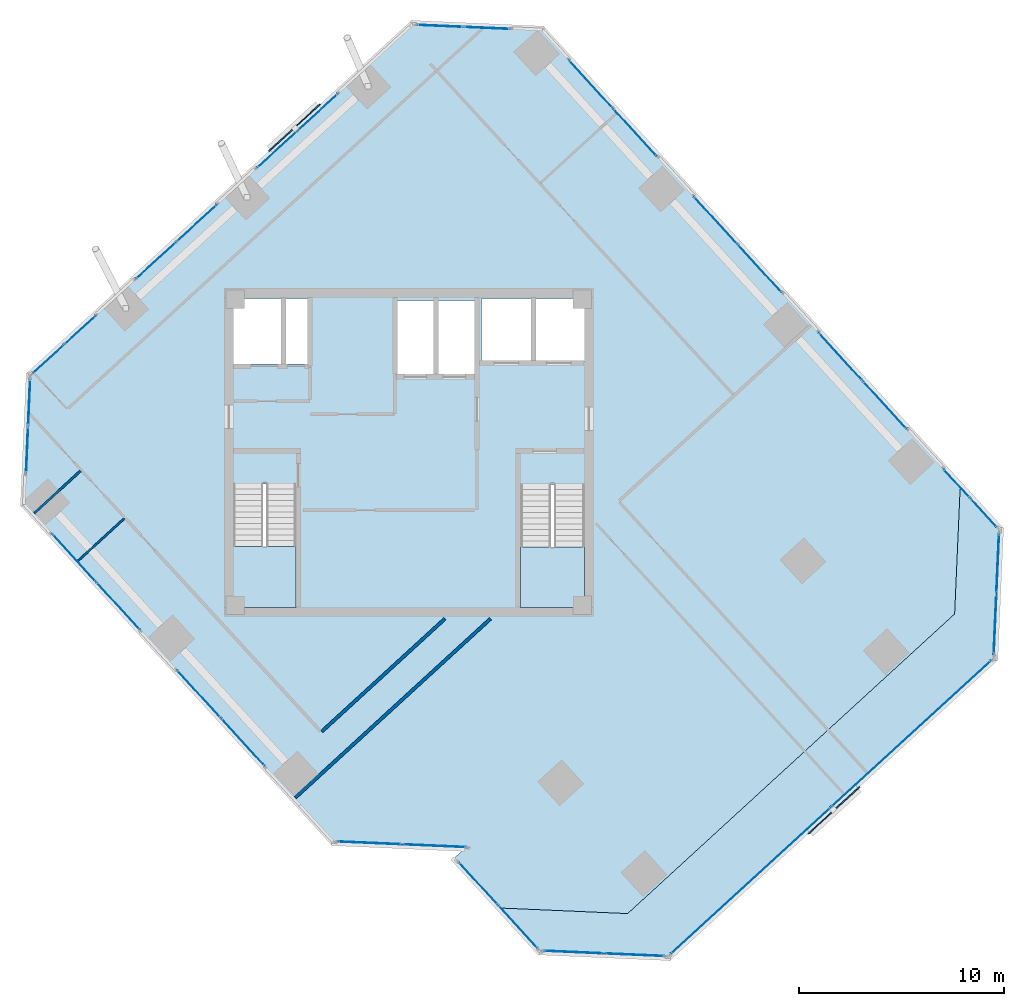
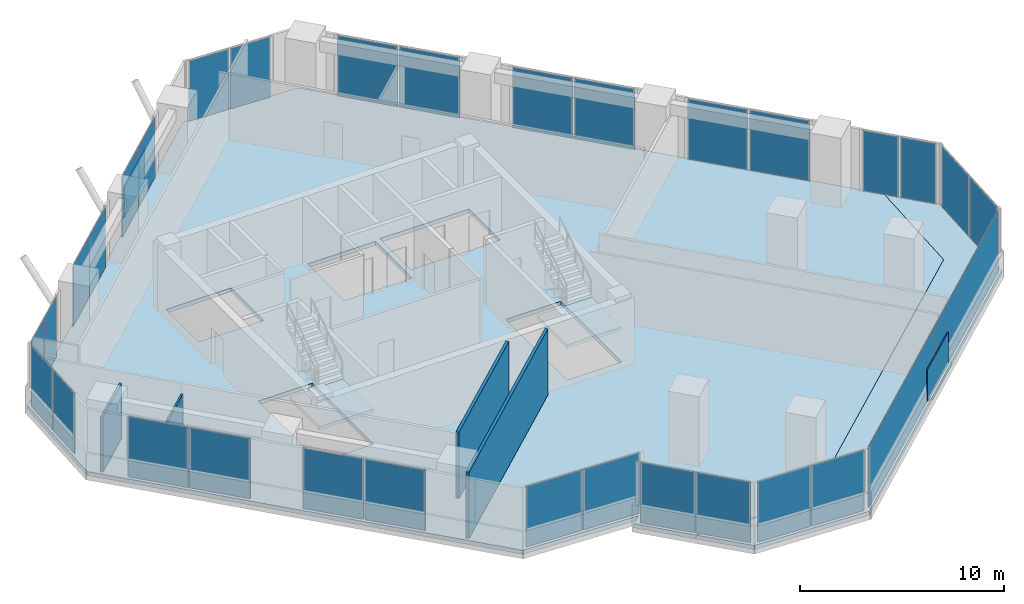
# One storey, part 11 of 16: 34 plates, 4 slabs, 4 walls, 18 elements without a shape of their own.
"""IFC4 building model written with IfcOpenShell, lengths in metres."""

from ifc_helpers import new_model, si_unit, direction, frame, frame_2d, origin, origin_2d, place, context, subcontext, project, spatial, polyline, rectangle, outline, extrude, source, transform, mapped, material, layer, layer_set, type_object, element, aggregate, save


model = new_model("IFC4")

# Units and contexts
model_context = context("Model", 3, precision=1e-05, world=origin(), true_north=direction((0.0, 1.0)))
body_context = subcontext(model_context, "Body", "Model", "MODEL_VIEW")
ifc_project = project(units=[si_unit("LENGTHUNIT", "METRE"), si_unit("AREAUNIT", "SQUARE_METRE"), si_unit("VOLUMEUNIT", "CUBIC_METRE"), si_unit("PLANEANGLEUNIT", "RADIAN"), si_unit("MASSUNIT", "GRAM", prefix="KILO")], contexts=[model_context])

# Site, building, storey
site_placement = place(None, origin())
site = spatial("IfcSite", under=ifc_project, at=site_placement, CompositionType="ELEMENT")
building_placement = place(site_placement, origin())
building = spatial("IfcBuilding", under=site, at=building_placement, Name="Torre Montelarca", CompositionType="ELEMENT")
storey_placement = place(building_placement, frame((0.0, 0.0, 262.60009765625)))
storey = spatial("IfcBuildingStorey", under=building, at=storey_placement, Name="L59", CompositionType="ELEMENT", Elevation=262.60009765625)

# Slabs
ifc_material_1 = material(Name="Concrete C40/50", Category="concrete")
ifc_layer_1 = layer(ifc_material_1, 0.239990234375, Name="Concrete C40/50", Category="concrete")
ifc_layer_set_1 = layer_set([ifc_layer_1], Name="Concrete C40/50")
slab_type_1 = type_object("IfcSlabType", Name="SL-FLR-240", PredefinedType="FLOOR", material=ifc_layer_set_1)
slab_1_placement = place(storey_placement, frame((0.0, 0.0, -0.239990234375)))
element("IfcSlab", 1, at=slab_1_placement, inside=storey, type_object=slab_type_1, Name="L59 Structural Floor Slab", PredefinedType="FLOOR", context=body_context, shape_type="SweptSolid", body=[
    extrude(outline(polyline([(14.297119140625, 12.92138671875), (20.65478515625, 12.643798828125), (20.138916015625, 12.1708984375), (22.30078125, 9.8115234375), (28.65869140625, 9.533935546875), (44.583740234375, 24.126708984375), (44.861328125, 30.484619140625), (24.526123046875, 52.676513671875), (18.168212890625, 52.9541015625), (-0.55859375, 35.794189453125), (-0.836181640625, 29.436279296875), (14.297119140625, 12.92138671875)]), holes=[polyline([(26.550048828125, 24.449951171875), (23.43994140625, 24.449951171875), (23.43994140625, 30.429931640625), (26.550048828125, 30.429931640625), (26.550048828125, 24.449951171875)]), polyline([(12.5, 24.449951171875), (9.449951171875, 24.449951171875), (9.449951171875, 30.4599609375), (12.5, 30.4599609375), (12.5, 24.449951171875)]), polyline([(21.25, 39.39990234375), (21.25, 35.800048828125), (17.39990234375, 35.800048828125), (17.39990234375, 39.39990234375), (21.25, 39.39990234375)]), polyline([(13.1201171875, 36.300048828125), (9.449951171875, 36.300048828125), (9.449951171875, 39.5), (13.1201171875, 39.5), (13.1201171875, 36.300048828125)]), polyline([(26.60009765625, 36.449951171875), (21.550048828125, 36.449951171875), (21.550048828125, 39.5), (26.60009765625, 39.5), (26.60009765625, 36.449951171875)])]), origin(), (0.0, 0.0, 1.0), 0.239990234375),
])
slab_2_placement = place(storey_placement, frame((0.0, 0.0, -0.239990234375)))
element("IfcSlab", 2, at=slab_2_placement, inside=storey, type_object=slab_type_1, Name="L59 Sliding Tray Winter Garden Floor Slab E1", PredefinedType="FLOOR", context=body_context, shape_type="SweptSolid", body=[
    extrude(outline(polyline([(44.861328125, 30.484619140625), (44.583740234375, 24.126708984375), (28.65869140625, 9.533935546875), (22.30078125, 9.8115234375), (24.327392578125, 7.599609375), (30.685302734375, 7.322021484375), (46.610595703125, 21.914794921875), (46.88818359375, 28.272705078125), (44.861328125, 30.484619140625)])), origin(), (0.0, 0.0, 1.0), 0.239990234375),
])

# Stair, slab
stair_type_1 = type_object("IfcStairType", Name="ST-CORE-ST1", PredefinedType="HALF_TURN_STAIR", material=ifc_material_1)
stair_1_placement = place(storey_placement, origin())
stair_1 = element("IfcStair", 3, at=stair_1_placement, inside=storey, type_object=stair_type_1, Name="L59 Protected Exit Stair ST1", PredefinedType="HALF_TURN_STAIR")
ifc_layer_2 = layer(ifc_material_1, 0.199951171875, Name="Concrete C40/50", Category="concrete")
ifc_layer_set_2 = layer_set([ifc_layer_2], Name="Concrete C40/50")
slab_type_2 = type_object("IfcSlabType", Name="SL-ST-LAND-ST1", PredefinedType="LANDING", material=ifc_layer_set_2)
slab_3_placement = place(storey_placement, frame((0.0, 0.0, 1.89990234375)))
slab_3 = element("IfcSlab", 4, at=slab_3_placement, type_object=slab_type_2, Name="ST1 landing 1", PredefinedType="LANDING", context=body_context, shape_type="SweptSolid", body=[
    extrude(outline(polyline([(9.449951171875, 27.419921875), (9.449951171875, 24.449951171875), (12.5, 24.449951171875), (12.5, 27.419921875), (9.449951171875, 27.419921875)])), origin(), (0.0, 0.0, 1.0), 0.199951171875),
])
aggregate(stair_1, [slab_3])

stair_type_2 = type_object("IfcStairType", Name="ST-CORE-ST2", PredefinedType="HALF_TURN_STAIR", material=ifc_material_1)
stair_2_placement = place(storey_placement, origin())
stair_2 = element("IfcStair", 5, at=stair_2_placement, inside=storey, type_object=stair_type_2, Name="L59 Protected Exit Stair ST2", PredefinedType="HALF_TURN_STAIR")
ifc_layer_3 = layer(ifc_material_1, 0.199951171875, Name="Concrete C40/50", Category="concrete")
ifc_layer_set_3 = layer_set([ifc_layer_3], Name="Concrete C40/50")
slab_type_3 = type_object("IfcSlabType", Name="SL-ST-LAND-ST2", PredefinedType="LANDING", material=ifc_layer_set_3)
slab_4_placement = place(storey_placement, frame((0.0, 0.0, 1.89990234375)))
slab_4 = element("IfcSlab", 6, at=slab_4_placement, type_object=slab_type_3, Name="ST2 landing 1", PredefinedType="LANDING", context=body_context, shape_type="SweptSolid", body=[
    extrude(outline(polyline([(23.43994140625, 27.389892578125), (23.43994140625, 24.449951171875), (26.550048828125, 24.449951171875), (26.550048828125, 27.389892578125), (23.43994140625, 27.389892578125)])), origin(), (0.0, 0.0, 1.0), 0.199951171875),
])
aggregate(stair_2, [slab_4])

# Plates
ifc_material_2 = material(Name="Architectural perforated terracotta ceramic", Category="masonry")
ifc_layer_4 = layer(ifc_material_2, 0.074951171875, Name="Architectural perforated terracotta ceramic", Category="masonry")
ifc_layer_set_4 = layer_set([ifc_layer_4], Name="Architectural perforated terracotta ceramic")
plate_type_1 = type_object("IfcPlateType", Name="SCR-CER-75", PredefinedType="USERDEFINED", material=ifc_layer_set_4)
shared_shape_1 = source(origin(), body_context, "Body", "SweptSolid", [
    extrude(rectangle(XDim=3.39990234375, YDim=0.06005859375, at=origin_2d()), origin(), (0.0, 0.0, 1.0), 1.89990234375),
])
for number, where, z_axis, x_axis, name in (
    (7, (38.701904296875, 14.5595703125, 0.5), (0.0, 0.0, 1.0), (0.737276157682, 0.675591494406, 0.0), "L59 Perforated Ceramic Brise-Soleil Screen E6-1"),
    (8, (12.43701171875, 47.81103515625, 0.5), (0.0, 0.0, 1.0), (-0.737276157682, -0.675591494406, 0.0), "L59 Perforated Ceramic Brise-Soleil Screen E10-1"),
):
    element("IfcPlate", number, at=place(storey_placement, frame(where, z_axis=z_axis, x_axis=x_axis)), inside=storey, type_object=plate_type_1, Name=name, ObjectType="SOLAR SCREEN", PredefinedType="USERDEFINED", context=body_context, shape_type="MappedRepresentation", body=[
        mapped(shared_shape_1, transform((0.0, 0.0, 0.0), scale=1.0)),
    ])

# Curtain wall, plates
ifc_material_3 = material(Name="Insulated low-E laminated glass", Category="glass")
curtain_wall_type = type_object("IfcCurtainWallType", Name="CW-SYS-Z3", PredefinedType="USERDEFINED", material=ifc_material_3)
curtain_wall_1_placement = place(storey_placement, origin())
curtain_wall_1 = element("IfcCurtainWall", 9, at=curtain_wall_1_placement, inside=storey, type_object=curtain_wall_type, Name="L59 Curtain Wall Run CW-T3-L59-E02-B1", ObjectType="UNITISED GLAZING", PredefinedType="USERDEFINED")
ifc_layer_5 = layer(ifc_material_3, 0.031982421875, Name="Insulated low-E laminated glass", Category="glass")
ifc_layer_set_5 = layer_set([ifc_layer_5], Name="Insulated low-E laminated glass")
plate_type_2 = type_object("IfcPlateType", Name="CWP-GLZ-32", PredefinedType="CURTAIN_PANEL", material=ifc_layer_set_5)
shared_shape_2 = source(origin(), body_context, "Body", "SweptSolid", [
    extrude(rectangle(XDim=3.08740234375, YDim=0.031982421875, at=origin_2d()), origin(), (0.0, 0.0, 1.0), 3.610107421875),
])
plate_1_placement = place(storey_placement, frame((16.085693359375, 12.973388671875, 0.0546875), z_axis=(0.0, 0.0, 1.0), x_axis=(0.999048625573, -0.043610133473, 0.0)))
plate_1 = element("IfcPlate", 10, at=plate_1_placement, type_object=plate_type_2, Name="CW panel 1.1", PredefinedType="CURTAIN_PANEL", context=body_context, shape_type="MappedRepresentation", body=[
    mapped(shared_shape_2, transform((0.0, 0.0, 0.0), scale=1.0)),
])
plate_2_placement = place(storey_placement, frame((19.2451171875, 12.83544921875, 0.0546875), z_axis=(0.0, 0.0, 1.0), x_axis=(0.999048625573, -0.043610133473, 0.0)))
plate_2 = element("IfcPlate", 11, at=plate_2_placement, type_object=plate_type_2, Name="CW panel 2.1", PredefinedType="CURTAIN_PANEL", context=body_context, shape_type="MappedRepresentation", body=[
    mapped(shared_shape_2, transform((0.0, 0.0, 0.0), scale=1.0)),
])
aggregate(curtain_wall_1, [plate_1, plate_2])

curtain_wall_2_placement = place(storey_placement, origin())
curtain_wall_2 = element("IfcCurtainWall", 12, at=curtain_wall_2_placement, inside=storey, type_object=curtain_wall_type, Name="L59 Curtain Wall Run CW-T3-L59-E05-B1", ObjectType="UNITISED GLAZING", PredefinedType="USERDEFINED")
shared_shape_3 = source(origin(), body_context, "Body", "SweptSolid", [
    extrude(rectangle(XDim=2.903564453125, YDim=0.031982421875, at=origin_2d()), origin(), (0.0, 0.0, 1.0), 3.610107421875),
])
plate_3_placement = place(storey_placement, frame((26.024169921875, 7.65576171875, 0.0546875), z_axis=(0.0, 0.0, 1.0), x_axis=(0.999048385364, -0.043615635968, 0.0)))
plate_3 = element("IfcPlate", 13, at=plate_3_placement, type_object=plate_type_2, Name="CW panel 1.1", PredefinedType="CURTAIN_PANEL", context=body_context, shape_type="MappedRepresentation", body=[
    mapped(shared_shape_3, transform((0.0, 0.0, 0.0), scale=1.0)),
])
plate_4_placement = place(storey_placement, frame((29.0, 7.52587890625, 0.0546875), z_axis=(0.0, 0.0, 1.0), x_axis=(0.999048385364, -0.043615635968, 0.0)))
plate_4 = element("IfcPlate", 14, at=plate_4_placement, type_object=plate_type_2, Name="CW panel 2.1", PredefinedType="CURTAIN_PANEL", context=body_context, shape_type="MappedRepresentation", body=[
    mapped(shared_shape_3, transform((0.0, 0.0, 0.0), scale=1.0)),
])
aggregate(curtain_wall_2, [plate_3, plate_4])

curtain_wall_3_placement = place(storey_placement, origin())
curtain_wall_3 = element("IfcCurtainWall", 15, at=curtain_wall_3_placement, inside=storey, type_object=curtain_wall_type, Name="L59 Curtain Wall Run CW-T3-L59-E07-B1", ObjectType="UNITISED GLAZING", PredefinedType="USERDEFINED")
plate_5_placement = place(storey_placement, frame((46.554443359375, 23.611572265625, 0.0546875), z_axis=(0.0, 0.0, 1.0), x_axis=(0.043615635968, 0.999048385364, 0.0)))
plate_5 = element("IfcPlate", 16, at=plate_5_placement, type_object=plate_type_2, Name="CW panel 1.1", PredefinedType="CURTAIN_PANEL", context=body_context, shape_type="MappedRepresentation", body=[
    mapped(shared_shape_3, transform((0.0, 0.0, 0.0), scale=1.0)),
])
plate_6_placement = place(storey_placement, frame((46.684326171875, 26.58740234375, 0.0546875), z_axis=(0.0, 0.0, 1.0), x_axis=(0.043615635968, 0.999048385364, 0.0)))
plate_6 = element("IfcPlate", 17, at=plate_6_placement, type_object=plate_type_2, Name="CW panel 2.1", PredefinedType="CURTAIN_PANEL", context=body_context, shape_type="MappedRepresentation", body=[
    mapped(shared_shape_3, transform((0.0, 0.0, 0.0), scale=1.0)),
])
aggregate(curtain_wall_3, [plate_5, plate_6])

curtain_wall_4_placement = place(storey_placement, origin())
curtain_wall_4 = element("IfcCurtainWall", 18, at=curtain_wall_4_placement, inside=storey, type_object=curtain_wall_type, Name="L59 Curtain Wall Run CW-T3-L59-E01-B1", ObjectType="UNITISED GLAZING", PredefinedType="USERDEFINED")
shared_shape_4 = source(origin(), body_context, "Body", "SweptSolid", [
    extrude(rectangle(XDim=3.107421875, YDim=0.031982421875, at=origin_2d()), origin(), (0.0, 0.0, 1.0), 3.610107421875),
])
plate_7_placement = place(storey_placement, frame((1.69775390625, 26.863525390625, 0.0546875), z_axis=(0.0, 0.0, 1.0), x_axis=(0.675587502621, -0.737279815472, 0.0)))
plate_7 = element("IfcPlate", 19, at=plate_7_placement, type_object=plate_type_2, Name="CW panel 1.1", PredefinedType="CURTAIN_PANEL", context=body_context, shape_type="MappedRepresentation", body=[
    mapped(shared_shape_4, transform((0.0, 0.0, 0.0), scale=1.0)),
])
plate_8_placement = place(storey_placement, frame((3.84765625, 24.51708984375, 0.0546875), z_axis=(0.0, 0.0, 1.0), x_axis=(0.675587502621, -0.737279815472, 0.0)))
plate_8 = element("IfcPlate", 20, at=plate_8_placement, type_object=plate_type_2, Name="CW panel 2.1", PredefinedType="CURTAIN_PANEL", context=body_context, shape_type="MappedRepresentation", body=[
    mapped(shared_shape_4, transform((0.0, 0.0, 0.0), scale=1.0)),
])
aggregate(curtain_wall_4, [plate_7, plate_8])

curtain_wall_5_placement = place(storey_placement, origin())
curtain_wall_5 = element("IfcCurtainWall", 21, at=curtain_wall_5_placement, inside=storey, type_object=curtain_wall_type, Name="L59 Curtain Wall Run CW-T3-L59-E01-B2", ObjectType="UNITISED GLAZING", PredefinedType="USERDEFINED")
plate_9_placement = place(storey_placement, frame((7.778076171875, 20.22802734375, 0.0546875), z_axis=(0.0, 0.0, 1.0), x_axis=(0.675587502621, -0.737279815472, 0.0)))
plate_9 = element("IfcPlate", 22, at=plate_9_placement, type_object=plate_type_2, Name="CW panel 1.1", PredefinedType="CURTAIN_PANEL", context=body_context, shape_type="MappedRepresentation", body=[
    mapped(shared_shape_4, transform((0.0, 0.0, 0.0), scale=1.0)),
])
plate_10_placement = place(storey_placement, frame((9.927978515625, 17.881591796875, 0.0546875), z_axis=(0.0, 0.0, 1.0), x_axis=(0.675587502621, -0.737279815472, 0.0)))
plate_10 = element("IfcPlate", 23, at=plate_10_placement, type_object=plate_type_2, Name="CW panel 2.1", PredefinedType="CURTAIN_PANEL", context=body_context, shape_type="MappedRepresentation", body=[
    mapped(shared_shape_4, transform((0.0, 0.0, 0.0), scale=1.0)),
])
aggregate(curtain_wall_5, [plate_9, plate_10])

curtain_wall_6_placement = place(storey_placement, origin())
curtain_wall_6 = element("IfcCurtainWall", 24, at=curtain_wall_6_placement, inside=storey, type_object=curtain_wall_type, Name="L59 Curtain Wall Run CW-T3-L59-E08-B2", ObjectType="UNITISED GLAZING", PredefinedType="USERDEFINED")
plate_11_placement = place(storey_placement, frame((41.178955078125, 34.310791015625, 0.0546875), z_axis=(0.0, 0.0, 1.0), x_axis=(-0.675587502621, 0.737279815472, 0.0)))
plate_11 = element("IfcPlate", 25, at=plate_11_placement, type_object=plate_type_2, Name="CW panel 1.1", PredefinedType="CURTAIN_PANEL", context=body_context, shape_type="MappedRepresentation", body=[
    mapped(shared_shape_4, transform((0.0, 0.0, 0.0), scale=1.0)),
])
plate_12_placement = place(storey_placement, frame((39.02880859375, 36.6572265625, 0.0546875), z_axis=(0.0, 0.0, 1.0), x_axis=(-0.675587502621, 0.737279815472, 0.0)))
plate_12 = element("IfcPlate", 26, at=plate_12_placement, type_object=plate_type_2, Name="CW panel 2.1", PredefinedType="CURTAIN_PANEL", context=body_context, shape_type="MappedRepresentation", body=[
    mapped(shared_shape_4, transform((0.0, 0.0, 0.0), scale=1.0)),
])
aggregate(curtain_wall_6, [plate_11, plate_12])

curtain_wall_7_placement = place(storey_placement, origin())
curtain_wall_7 = element("IfcCurtainWall", 27, at=curtain_wall_7_placement, inside=storey, type_object=curtain_wall_type, Name="L59 Curtain Wall Run CW-T3-L59-E08-B3", ObjectType="UNITISED GLAZING", PredefinedType="USERDEFINED")
plate_13_placement = place(storey_placement, frame((35.0986328125, 40.9462890625, 0.0546875), z_axis=(0.0, 0.0, 1.0), x_axis=(-0.675587502621, 0.737279815472, 0.0)))
plate_13 = element("IfcPlate", 28, at=plate_13_placement, type_object=plate_type_2, Name="CW panel 1.1", PredefinedType="CURTAIN_PANEL", context=body_context, shape_type="MappedRepresentation", body=[
    mapped(shared_shape_4, transform((0.0, 0.0, 0.0), scale=1.0)),
])
plate_14_placement = place(storey_placement, frame((32.948486328125, 43.292724609375, 0.0546875), z_axis=(0.0, 0.0, 1.0), x_axis=(-0.675587502621, 0.737279815472, 0.0)))
plate_14 = element("IfcPlate", 29, at=plate_14_placement, type_object=plate_type_2, Name="CW panel 2.1", PredefinedType="CURTAIN_PANEL", context=body_context, shape_type="MappedRepresentation", body=[
    mapped(shared_shape_4, transform((0.0, 0.0, 0.0), scale=1.0)),
])
aggregate(curtain_wall_7, [plate_13, plate_14])

curtain_wall_8_placement = place(storey_placement, origin())
curtain_wall_8 = element("IfcCurtainWall", 30, at=curtain_wall_8_placement, inside=storey, type_object=curtain_wall_type, Name="L59 Curtain Wall Run CW-T3-L59-E08-B4", ObjectType="UNITISED GLAZING", PredefinedType="USERDEFINED")
plate_15_placement = place(storey_placement, frame((29.018310546875, 47.581787109375, 0.0546875), z_axis=(0.0, 0.0, 1.0), x_axis=(-0.675587502621, 0.737279815472, 0.0)))
plate_15 = element("IfcPlate", 31, at=plate_15_placement, type_object=plate_type_2, Name="CW panel 1.1", PredefinedType="CURTAIN_PANEL", context=body_context, shape_type="MappedRepresentation", body=[
    mapped(shared_shape_4, transform((0.0, 0.0, 0.0), scale=1.0)),
])
plate_16_placement = place(storey_placement, frame((26.8681640625, 49.92822265625, 0.0546875), z_axis=(0.0, 0.0, 1.0), x_axis=(-0.675587502621, 0.737279815472, 0.0)))
plate_16 = element("IfcPlate", 32, at=plate_16_placement, type_object=plate_type_2, Name="CW panel 2.1", PredefinedType="CURTAIN_PANEL", context=body_context, shape_type="MappedRepresentation", body=[
    mapped(shared_shape_4, transform((0.0, 0.0, 0.0), scale=1.0)),
])
aggregate(curtain_wall_8, [plate_15, plate_16])

curtain_wall_9_placement = place(storey_placement, origin())
curtain_wall_9 = element("IfcCurtainWall", 33, at=curtain_wall_9_placement, inside=storey, type_object=curtain_wall_type, Name="L59 Curtain Wall Run CW-T3-L59-E06-B1", ObjectType="UNITISED GLAZING", PredefinedType="USERDEFINED")
shared_shape_5 = source(origin(), body_context, "Body", "SweptSolid", [
    extrude(rectangle(XDim=10.521728515625, YDim=0.031982421875, at=origin_2d()), origin(), (0.0, 0.0, 1.0), 3.610107421875),
])
plate_17_placement = place(storey_placement, frame((34.65380859375, 11.134765625, 0.0546875), z_axis=(0.0, 0.0, 1.0), x_axis=(0.73728001228, 0.675587287841, 0.0)))
plate_17 = element("IfcPlate", 34, at=plate_17_placement, type_object=plate_type_2, Name="CW panel 1.1", PredefinedType="CURTAIN_PANEL", context=body_context, shape_type="MappedRepresentation", body=[
    mapped(shared_shape_5, transform((0.0, 0.0, 0.0), scale=1.0)),
])
plate_18_placement = place(storey_placement, frame((42.466552734375, 18.293701171875, 0.0546875), z_axis=(0.0, 0.0, 1.0), x_axis=(0.73728001228, 0.675587287841, 0.0)))
plate_18 = element("IfcPlate", 35, at=plate_18_placement, type_object=plate_type_2, Name="CW panel 2.1", PredefinedType="CURTAIN_PANEL", context=body_context, shape_type="MappedRepresentation", body=[
    mapped(shared_shape_5, transform((0.0, 0.0, 0.0), scale=1.0)),
])
aggregate(curtain_wall_9, [plate_17, plate_18])

curtain_wall_10_placement = place(storey_placement, origin())
curtain_wall_10 = element("IfcCurtainWall", 36, at=curtain_wall_10_placement, inside=storey, type_object=curtain_wall_type, Name="L59 Curtain Wall Run CW-T3-L59-E08-B1", ObjectType="UNITISED GLAZING", PredefinedType="USERDEFINED")
shared_shape_6 = source(origin(), body_context, "Body", "SweptSolid", [
    extrude(rectangle(XDim=1.864501953125, YDim=0.031982421875, at=origin_2d()), origin(), (0.0, 0.0, 1.0), 3.610107421875),
])
plate_19_placement = place(storey_placement, frame((45.999755859375, 29.0498046875, 0.0546875), z_axis=(0.0, 0.0, 1.0), x_axis=(-0.675580323, 0.73728639427, 0.0)))
plate_19 = element("IfcPlate", 37, at=plate_19_placement, type_object=plate_type_2, Name="CW panel 1.1", PredefinedType="CURTAIN_PANEL", context=body_context, shape_type="MappedRepresentation", body=[
    mapped(shared_shape_6, transform((0.0, 0.0, 0.0), scale=1.0)),
])
plate_20_placement = place(storey_placement, frame((44.689208984375, 30.479736328125, 0.0546875), z_axis=(0.0, 0.0, 1.0), x_axis=(-0.675580323, 0.73728639427, 0.0)))
plate_20 = element("IfcPlate", 38, at=plate_20_placement, type_object=plate_type_2, Name="CW panel 2.1", PredefinedType="CURTAIN_PANEL", context=body_context, shape_type="MappedRepresentation", body=[
    mapped(shared_shape_6, transform((0.0, 0.0, 0.0), scale=1.0)),
])
aggregate(curtain_wall_10, [plate_19, plate_20])

curtain_wall_11_placement = place(storey_placement, origin())
curtain_wall_11 = element("IfcCurtainWall", 39, at=curtain_wall_11_placement, inside=storey, type_object=curtain_wall_type, Name="L59 Curtain Wall Run CW-T3-L59-E10-B1", ObjectType="UNITISED GLAZING", PredefinedType="USERDEFINED")
shared_shape_7 = source(origin(), body_context, "Body", "SweptSolid", [
    extrude(rectangle(XDim=2.607421875, YDim=0.031982421875, at=origin_2d()), origin(), (0.0, 0.0, 1.0), 3.610107421875),
])
plate_21_placement = place(storey_placement, frame((13.56787109375, 48.5625, 0.0546875), z_axis=(0.0, 0.0, 1.0), x_axis=(-0.737279266272, -0.675588101971, 0.0)))
plate_21 = element("IfcPlate", 40, at=plate_21_placement, type_object=plate_type_2, Name="CW panel 1.1", PredefinedType="CURTAIN_PANEL", context=body_context, shape_type="MappedRepresentation", body=[
    mapped(shared_shape_7, transform((0.0, 0.0, 0.0), scale=1.0)),
])
plate_22_placement = place(storey_placement, frame((11.590087890625, 46.750244140625, 0.0546875), z_axis=(0.0, 0.0, 1.0), x_axis=(-0.737279266272, -0.675588101971, 0.0)))
plate_22 = element("IfcPlate", 41, at=plate_22_placement, type_object=plate_type_2, Name="CW panel 2.1", PredefinedType="CURTAIN_PANEL", context=body_context, shape_type="MappedRepresentation", body=[
    mapped(shared_shape_7, transform((0.0, 0.0, 0.0), scale=1.0)),
])
aggregate(curtain_wall_11, [plate_21, plate_22])

curtain_wall_12_placement = place(storey_placement, origin())
curtain_wall_12 = element("IfcCurtainWall", 42, at=curtain_wall_12_placement, inside=storey, type_object=curtain_wall_type, Name="L59 Curtain Wall Run CW-T3-L59-E10-B2", ObjectType="UNITISED GLAZING", PredefinedType="USERDEFINED")
plate_23_placement = place(storey_placement, frame((7.669677734375, 43.15771484375, 0.0546875), z_axis=(0.0, 0.0, 1.0), x_axis=(-0.737279266272, -0.675588101971, 0.0)))
plate_23 = element("IfcPlate", 43, at=plate_23_placement, type_object=plate_type_2, Name="CW panel 1.1", PredefinedType="CURTAIN_PANEL", context=body_context, shape_type="MappedRepresentation", body=[
    mapped(shared_shape_7, transform((0.0, 0.0, 0.0), scale=1.0)),
])
plate_24_placement = place(storey_placement, frame((5.69189453125, 41.345458984375, 0.0546875), z_axis=(0.0, 0.0, 1.0), x_axis=(-0.737279266272, -0.675588101971, 0.0)))
plate_24 = element("IfcPlate", 44, at=plate_24_placement, type_object=plate_type_2, Name="CW panel 2.1", PredefinedType="CURTAIN_PANEL", context=body_context, shape_type="MappedRepresentation", body=[
    mapped(shared_shape_7, transform((0.0, 0.0, 0.0), scale=1.0)),
])
aggregate(curtain_wall_12, [plate_23, plate_24])

curtain_wall_13_placement = place(storey_placement, origin())
curtain_wall_13 = element("IfcCurtainWall", 45, at=curtain_wall_13_placement, inside=storey, type_object=curtain_wall_type, Name="L59 Curtain Wall Run CW-T3-L59-E10-B3", ObjectType="UNITISED GLAZING", PredefinedType="USERDEFINED")
shared_shape_8 = source(origin(), body_context, "Body", "SweptSolid", [
    extrude(rectangle(XDim=2.0146484375, YDim=0.031982421875, at=origin_2d()), origin(), (0.0, 0.0, 1.0), 3.610107421875),
])
plate_25_placement = place(storey_placement, frame((1.989990234375, 37.953369140625, 0.0546875), z_axis=(0.0, 0.0, 1.0), x_axis=(-0.737284872213, -0.675581984074, 0.0)))
plate_25 = element("IfcPlate", 46, at=plate_25_placement, type_object=plate_type_2, Name="CW panel 1.1", PredefinedType="CURTAIN_PANEL", context=body_context, shape_type="MappedRepresentation", body=[
    mapped(shared_shape_8, transform((0.0, 0.0, 0.0), scale=1.0)),
])
plate_26_placement = place(storey_placement, frame((0.449462890625, 36.54150390625, 0.0546875), z_axis=(0.0, 0.0, 1.0), x_axis=(-0.737284872213, -0.675581984074, 0.0)))
plate_26 = element("IfcPlate", 47, at=plate_26_placement, type_object=plate_type_2, Name="CW panel 2.1", PredefinedType="CURTAIN_PANEL", context=body_context, shape_type="MappedRepresentation", body=[
    mapped(shared_shape_8, transform((0.0, 0.0, 0.0), scale=1.0)),
])
aggregate(curtain_wall_13, [plate_25, plate_26])

curtain_wall_14_placement = place(storey_placement, origin())
curtain_wall_14 = element("IfcCurtainWall", 48, at=curtain_wall_14_placement, inside=storey, type_object=curtain_wall_type, Name="L59 Curtain Wall Run CW-T3-L59-E11-B1", ObjectType="UNITISED GLAZING", PredefinedType="USERDEFINED")
shared_shape_9 = source(origin(), body_context, "Body", "SweptSolid", [
    extrude(rectangle(XDim=2.240478515625, YDim=0.031982421875, at=origin_2d()), origin(), (0.0, 0.0, 1.0), 3.610107421875),
])
plate_27_placement = place(storey_placement, frame((-0.488037109375, 34.4287109375, 0.0546875), z_axis=(0.0, 0.0, 1.0), x_axis=(-0.043626268384, -0.999047921126, 0.0)))
plate_27 = element("IfcPlate", 49, at=plate_27_placement, type_object=plate_type_2, Name="CW panel 1.1", PredefinedType="CURTAIN_PANEL", context=body_context, shape_type="MappedRepresentation", body=[
    mapped(shared_shape_9, transform((0.0, 0.0, 0.0), scale=1.0)),
])
plate_28_placement = place(storey_placement, frame((-0.589111328125, 32.115478515625, 0.0546875), z_axis=(0.0, 0.0, 1.0), x_axis=(-0.043626268384, -0.999047921126, 0.0)))
plate_28 = element("IfcPlate", 50, at=plate_28_placement, type_object=plate_type_2, Name="CW panel 2.1", PredefinedType="CURTAIN_PANEL", context=body_context, shape_type="MappedRepresentation", body=[
    mapped(shared_shape_9, transform((0.0, 0.0, 0.0), scale=1.0)),
])
aggregate(curtain_wall_14, [plate_27, plate_28])

curtain_wall_15_placement = place(storey_placement, origin())
curtain_wall_15 = element("IfcCurtainWall", 51, at=curtain_wall_15_placement, inside=storey, type_object=curtain_wall_type, Name="L59 Curtain Wall Run CW-T3-L59-E04-B1", ObjectType="UNITISED GLAZING", PredefinedType="USERDEFINED")
shared_shape_10 = source(origin(), body_context, "Body", "SweptSolid", [
    extrude(rectangle(XDim=2.78369140625, YDim=0.031982421875, at=origin_2d()), origin(), (0.0, 0.0, 1.0), 3.610107421875),
])
plate_29_placement = place(storey_placement, frame((21.38916015625, 10.998779296875, 0.0546875), z_axis=(0.0, 0.0, 1.0), x_axis=(0.675572948157, -0.737293151819, 0.0)))
plate_29 = element("IfcPlate", 52, at=plate_29_placement, type_object=plate_type_2, Name="CW panel 1.1", PredefinedType="CURTAIN_PANEL", context=body_context, shape_type="MappedRepresentation", body=[
    mapped(shared_shape_10, transform((0.0, 0.0, 0.0), scale=1.0)),
])
plate_30_placement = place(storey_placement, frame((23.3203125, 8.89111328125, 0.0546875), z_axis=(0.0, 0.0, 1.0), x_axis=(0.675572948157, -0.737293151819, 0.0)))
plate_30 = element("IfcPlate", 53, at=plate_30_placement, type_object=plate_type_2, Name="CW panel 2.1", PredefinedType="CURTAIN_PANEL", context=body_context, shape_type="MappedRepresentation", body=[
    mapped(shared_shape_10, transform((0.0, 0.0, 0.0), scale=1.0)),
])
aggregate(curtain_wall_15, [plate_29, plate_30])

curtain_wall_16_placement = place(storey_placement, origin())
curtain_wall_16 = element("IfcCurtainWall", 54, at=curtain_wall_16_placement, inside=storey, type_object=curtain_wall_type, Name="L59 Curtain Wall Run CW-T3-L59-E09-B1", ObjectType="UNITISED GLAZING", PredefinedType="USERDEFINED")
shared_shape_11 = source(origin(), body_context, "Body", "SweptSolid", [
    extrude(rectangle(XDim=2.222900390625, YDim=0.031982421875, at=origin_2d()), origin(), (0.0, 0.0, 1.0), 3.610107421875),
])
plate_31_placement = place(storey_placement, frame((21.80908203125, 52.6650390625, 0.0546875), z_axis=(0.0, 0.0, 1.0), x_axis=(-0.999048507919, 0.043612828662, 0.0)))
plate_31 = element("IfcPlate", 55, at=plate_31_placement, type_object=plate_type_2, Name="CW panel 1.1", PredefinedType="CURTAIN_PANEL", context=body_context, shape_type="MappedRepresentation", body=[
    mapped(shared_shape_11, transform((0.0, 0.0, 0.0), scale=1.0)),
])
plate_32_placement = place(storey_placement, frame((19.513427734375, 52.765380859375, 0.0546875), z_axis=(0.0, 0.0, 1.0), x_axis=(-0.999048507919, 0.043612828662, 0.0)))
plate_32 = element("IfcPlate", 56, at=plate_32_placement, type_object=plate_type_2, Name="CW panel 2.1", PredefinedType="CURTAIN_PANEL", context=body_context, shape_type="MappedRepresentation", body=[
    mapped(shared_shape_11, transform((0.0, 0.0, 0.0), scale=1.0)),
])
aggregate(curtain_wall_16, [plate_31, plate_32])

# Walls
ifc_material_4 = material(Name="Gypsum plasterboard on steel stud", Category="steel")
ifc_layer_6 = layer(ifc_material_4, 0.159912109375, Name="Gypsum plasterboard on steel stud", Category="steel")
ifc_layer_set_6 = layer_set([ifc_layer_6], Name="Gypsum plasterboard on steel stud")
wall_type_1 = type_object("IfcWallType", Name="PW-FIRE-160", PredefinedType="PARTITIONING", material=ifc_layer_set_6)
wall_1_placement = place(storey_placement, frame((13.764892578125, 18.401611328125, 0.0), z_axis=(0.0, 0.0, 1.0), x_axis=(0.737266340408, 0.675602207887, 0.0)))
element("IfcWall", 57, at=wall_1_placement, inside=storey, type_object=wall_type_1, Name="L59 Interior Partition W-L59-SOCCW3", PredefinedType="PARTITIONING", context=body_context, shape_type="SweptSolid", body=[
    extrude(rectangle(XDim=8.128173828125, YDim=0.159912109375, at=frame_2d((4.06396484375, 0.0))), origin(), (0.0, 0.0, 1.0), 3.9599609375),
])
wall_2_placement = place(storey_placement, frame((12.470458984375, 15.180908203125, 0.0), z_axis=(0.0, 0.0, 1.0), x_axis=(0.737265724175, 0.675602880365, 0.0)))
element("IfcWall", 58, at=wall_2_placement, inside=storey, type_object=wall_type_1, Name="L59 Interior Partition W-L59-ECS", PredefinedType="PARTITIONING", context=body_context, shape_type="SweptSolid", body=[
    extrude(rectangle(XDim=12.895263671875, YDim=0.159912109375, at=frame_2d((6.44775390625, 0.0))), origin(), (0.0, 0.0, 1.0), 3.9599609375),
])
ifc_material_5 = material(Name="Acoustic laminated glass partition", Category="glass")
ifc_layer_7 = layer(ifc_material_5, 0.10009765625, Name="Acoustic laminated glass partition", Category="glass")
ifc_layer_set_7 = layer_set([ifc_layer_7], Name="Acoustic laminated glass partition")
wall_type_2 = type_object("IfcWallType", Name="PW-GLAZ-100", PredefinedType="PARTITIONING", material=ifc_layer_set_7)
wall_3_placement = place(storey_placement, frame((1.8974609375, 26.719482421875, 0.0), z_axis=(0.0, 0.0, 1.0), x_axis=(0.737290351983, 0.675576003772, 0.0)))
element("IfcWall", 59, at=wall_3_placement, inside=storey, type_object=wall_type_2, Name="L59 Interior Partition W-L59-SWCDIV", PredefinedType="PARTITIONING", context=body_context, shape_type="SweptSolid", body=[
    extrude(rectangle(XDim=3.050048828125, YDim=0.10009765625, at=frame_2d((1.52490234375, 0.0))), origin(), (0.0, 0.0, 1.0), 3.294921875),
])
ifc_layer_8 = layer(ifc_material_4, 0.114990234375, Name="Gypsum plasterboard on steel stud", Category="steel")
ifc_layer_set_8 = layer_set([ifc_layer_8], Name="Gypsum plasterboard on steel stud")
wall_type_3 = type_object("IfcWallType", Name="PW-PART-115", PredefinedType="PARTITIONING", material=ifc_layer_set_8)
wall_4_placement = place(storey_placement, frame((-0.230712890625, 29.041748046875, 0.0), z_axis=(0.0, 0.0, 1.0), x_axis=(0.737290351983, 0.675576003772, 0.0)))
element("IfcWall", 60, at=wall_4_placement, inside=storey, type_object=wall_type_3, Name="L59 Interior Partition W-L59-WCD", PredefinedType="PARTITIONING", context=body_context, shape_type="SweptSolid", body=[
    extrude(rectangle(XDim=3.050048828125, YDim=0.114990234375, at=frame_2d((1.52490234375, 0.0))), origin(), (0.0, 0.0, 1.0), 3.294921875),
])

save(model, "model.ifc")
